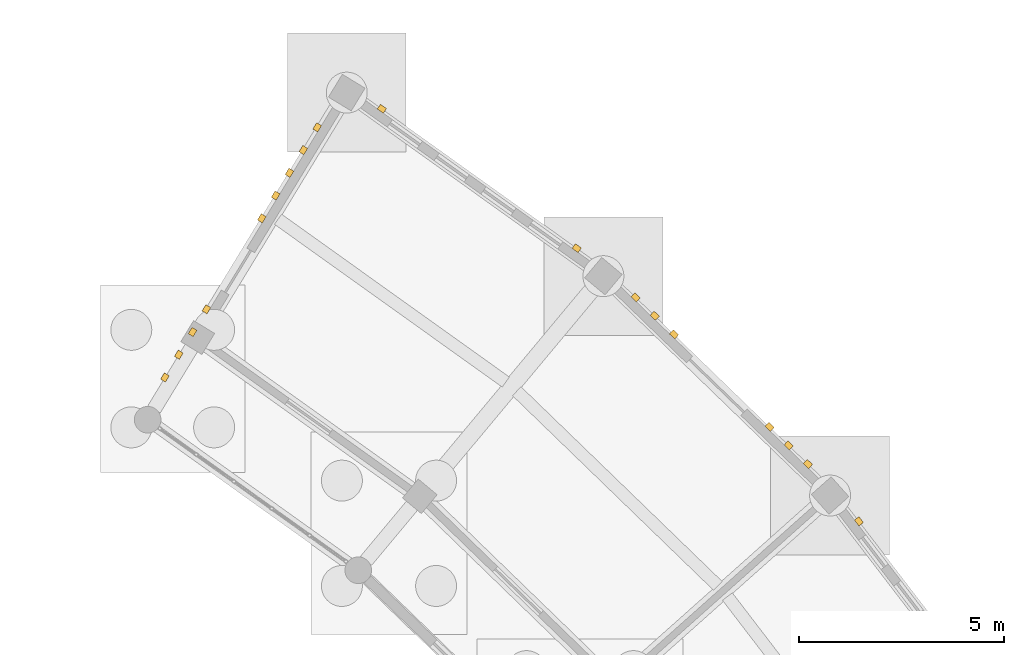
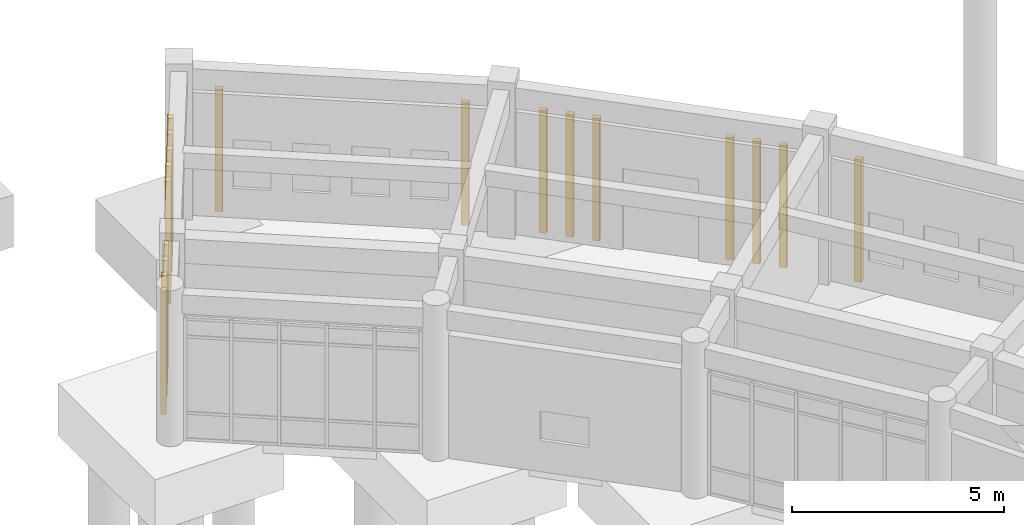
# One storey, part 149 of 153: 18 coverings.
"""IFC4 building model written with IfcOpenShell, lengths in metres."""

from ifc_helpers import new_model, si_unit, direction, frame, origin, origin_2d, place, context, subcontext, project, spatial, rectangle, extrude, material, layer, layer_set, type_object, element, save


model = new_model("IFC4")

# Units and contexts
model_context = context("Model", 3, precision=1e-05, world=origin(), true_north=direction((0.0, 1.0)))
body_context = subcontext(model_context, "Body", "Model", "MODEL_VIEW")
ifc_project = project(units=[si_unit("LENGTHUNIT", "METRE"), si_unit("AREAUNIT", "SQUARE_METRE"), si_unit("VOLUMEUNIT", "CUBIC_METRE"), si_unit("PLANEANGLEUNIT", "RADIAN"), si_unit("MASSUNIT", "GRAM", prefix="KILO")], contexts=[model_context])

# Site, building, storey
site_placement = place(None, origin())
site = spatial("IfcSite", under=ifc_project, at=site_placement, CompositionType="ELEMENT")
building_placement = place(site_placement, origin())
building = spatial("IfcBuilding", under=site, at=building_placement, Name="Celadon Cloister-Ring School", CompositionType="ELEMENT")
storey_placement = place(building_placement, origin())
storey = spatial("IfcBuildingStorey", under=building, at=storey_placement, Name="L00", CompositionType="ELEMENT", Elevation=0.0)

# Coverings
ifc_material = material(Name="Perforated terracotta clay brick masonry", Category="masonry")
ifc_layer = layer(ifc_material, 0.139892578125)
ifc_layer_set = layer_set([ifc_layer], Name="Perforated terracotta clay brick masonry")
covering_type = type_object("IfcCoveringType", Name="CV-SC1", PredefinedType="CLADDING", material=ifc_layer_set)
for number, where, z_axis, x_axis, name in (
    (1, (126.535888671875, 92.955078125, 0.0), (0.0, 0.0, 1.0), (0.608041153742, -0.793905507826, 0.0), "Brick Screen Rib 0098"),
    (2, (121.0849609375, 98.424072265625, 0.0), (0.0, 0.0, 1.0), (0.718672644851, -0.695348566938, 0.0), "Brick Screen Rib 0100"),
    (3, (121.552978515625, 97.971923828125, 0.0), (0.0, 0.0, 1.0), (0.718672644851, -0.695348566938, 0.0), "Brick Screen Rib 0101"),
    (4, (122.02001953125, 97.52001953125, 0.0), (0.0, 0.0, 1.0), (0.718672644851, -0.695348566938, 0.0), "Brick Screen Rib 0102"),
    (5, (124.35498046875, 95.260009765625, 0.0), (0.0, 0.0, 1.0), (0.718672644851, -0.695348566938, 0.0), "Brick Screen Rib 0103"),
    (6, (124.822998046875, 94.80810546875, 0.0), (0.0, 0.0, 1.0), (0.718672644851, -0.695348566938, 0.0), "Brick Screen Rib 0104"),
    (7, (125.2900390625, 94.35595703125, 0.0), (0.0, 0.0, 1.0), (0.718672644851, -0.695348566938, 0.0), "Brick Screen Rib 0105"),
    (8, (114.887939453125, 103.027099609375, 0.0), (0.0, 0.0, 1.0), (0.813374989743, -0.58173974083, 0.0), "Brick Screen Rib 0106"),
    (9, (119.64599609375, 99.6240234375, 0.0), (0.0, 0.0, 1.0), (0.813374989743, -0.58173974083, 0.0), "Brick Screen Rib 0107"),
    (10, (109.591064453125, 96.467041015625, 0.0), (0.0, 0.0, 1.0), (0.51986207177, 0.854250212956, 0.0), "Brick Screen Rib 0117"),
    (11, (109.928955078125, 97.02197265625, 0.0), (0.0, 0.0, 1.0), (0.51986207177, 0.854250212956, 0.0), "Brick Screen Rib 0118"),
    (12, (110.26708984375, 97.576904296875, 0.0), (0.0, 0.0, 1.0), (0.51986207177, 0.854250212956, 0.0), "Brick Screen Rib 0119"),
    (13, (110.60498046875, 98.132080078125, 0.0), (0.0, 0.0, 1.0), (0.51986207177, 0.854250212956, 0.0), "Brick Screen Rib 0120"),
    (14, (111.9560546875, 100.35302734375, 0.0), (0.0, 0.0, 1.0), (0.51986207177, 0.854250212956, 0.0), "Brick Screen Rib 0121"),
    (15, (112.2939453125, 100.908935546875, 0.0), (0.0, 0.0, 1.0), (0.51986207177, 0.854250212956, 0.0), "Brick Screen Rib 0122"),
    (16, (112.632080078125, 101.464111328125, 0.0), (0.0, 0.0, 1.0), (0.51986207177, 0.854250212956, 0.0), "Brick Screen Rib 0123"),
    (17, (112.969970703125, 102.01904296875, 0.0), (0.0, 0.0, 1.0), (0.51986207177, 0.854250212956, 0.0), "Brick Screen Rib 0124"),
    (18, (113.30810546875, 102.573974609375, 0.0), (0.0, 0.0, 1.0), (0.51986207177, 0.854250212956, 0.0), "Brick Screen Rib 0125"),
):
    element("IfcCovering", number, at=place(storey_placement, frame(where, z_axis=z_axis, x_axis=x_axis)), inside=storey, type_object=covering_type, Name=name, PredefinedType="CLADDING", context=body_context, shape_type="SweptSolid", body=[
        extrude(rectangle(XDim=0.179931640625, YDim=0.139892578125, at=origin_2d()), origin(), (0.0, 0.0, 1.0), 3.530029296875),
    ])

save(model, "model.ifc")
